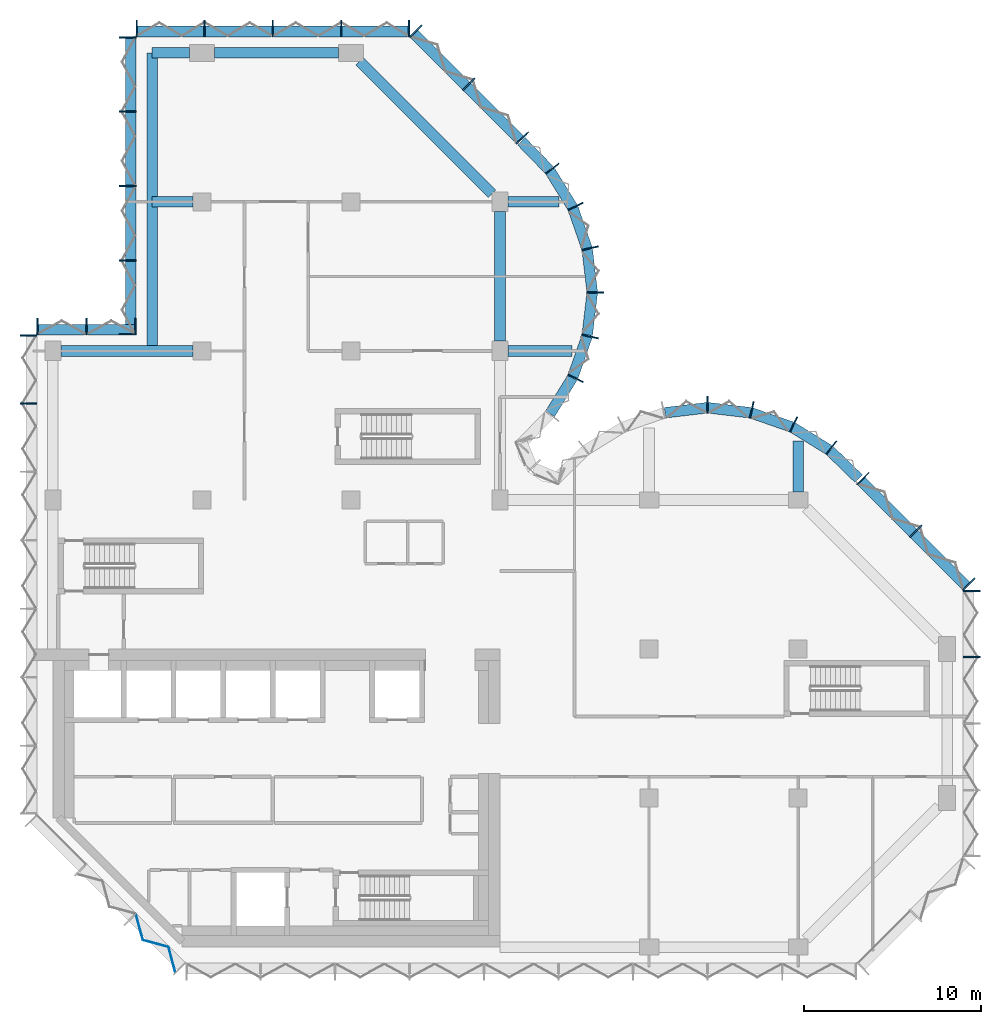
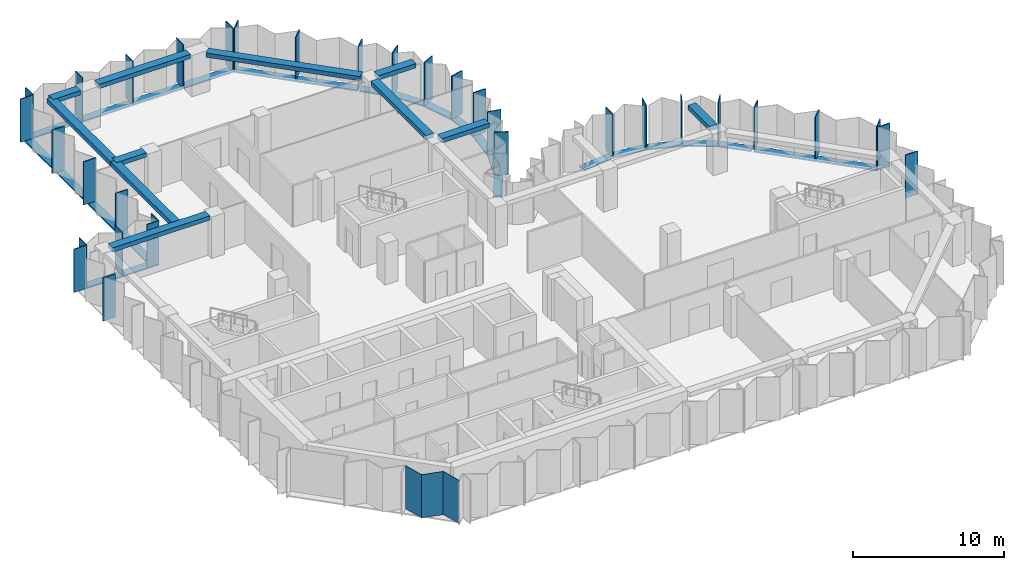
# One storey, part 2 of 9: 50 members, 11 beams, 1 plate, 10 elements without a shape of their own.
"""IFC4 building model written with IfcOpenShell, lengths in metres."""

from ifc_helpers import new_model, si_unit, direction, frame, origin, origin_2d, place, context, subcontext, project, spatial, polyline, rectangle, outline, extrude, material, layer, layer_set, material_profile, profile_set, type_object, element, aggregate, save


model = new_model("IFC4")

# Units and contexts
model_context = context("Model", 3, precision=1e-05, world=origin(), true_north=direction((0.0, 1.0)))
body_context = subcontext(model_context, "Body", "Model", "MODEL_VIEW")
ifc_project = project(units=[si_unit("LENGTHUNIT", "METRE"), si_unit("AREAUNIT", "SQUARE_METRE"), si_unit("VOLUMEUNIT", "CUBIC_METRE"), si_unit("PLANEANGLEUNIT", "RADIAN"), si_unit("MASSUNIT", "GRAM", prefix="KILO")], contexts=[model_context])

# Site, building, storey
site_placement = place(None, origin())
site = spatial("IfcSite", under=ifc_project, at=site_placement, CompositionType="ELEMENT")
building_placement = place(site_placement, origin())
building = spatial("IfcBuilding", under=site, at=building_placement, Name="Brevane Broadcast Tower", CompositionType="ELEMENT")
storey_placement = place(building_placement, frame((0.0, 0.0, 188.39990234375)))
storey = spatial("IfcBuildingStorey", under=building, at=storey_placement, Name="L47", CompositionType="ELEMENT", Elevation=188.39990234375)

# Curtain wall, members
ifc_material_1 = material(Name="Aluminium 6063-T6 bronze anodised", Category="aluminium")
curtain_wall_type = type_object("IfcCurtainWallType", Name="CW-1 curtain wall", PredefinedType="NOTDEFINED", material=ifc_material_1)
curtain_wall_1_placement = place(storey_placement, origin())
curtain_wall_1 = element("IfcCurtainWall", 1, at=curtain_wall_1_placement, inside=storey, type_object=curtain_wall_type, Name="CW-1 typical tilted unit L47 east end", PredefinedType="NOTDEFINED")
ifc_material_profile_1 = material_profile(ifc_material_1, rectangle(XDim=0.949951171875, YDim=0.070068359375, at=origin_2d()), Name="RECT 70x950")
ifc_profile_set_1 = profile_set([ifc_material_profile_1], Name="Aluminium 6063-T6 bronze anodised")
member_type_1 = type_object("IfcMemberType", Name="CW-1 mullion 70x950", PredefinedType="MULLION", material=ifc_profile_set_1)
member_1_placement = place(storey_placement, frame((51.77490234375, 16.35009765625, -0.14990234375), z_axis=(0.0, 0.0, 1.0), x_axis=(-1.0, 0.0, 0.0)))
member_1 = element("IfcMember", 2, at=member_1_placement, type_object=member_type_1, Name="CW-1 mullion", PredefinedType="MULLION", context=body_context, shape_type="SweptSolid", body=[
    extrude(rectangle(XDim=0.949951171875, YDim=0.070068359375, at=origin_2d()), origin(), (0.0, 0.0, 1.0), 3.5),
])
member_2_placement = place(storey_placement, frame((51.77490234375, 20.06494140625, -0.14990234375), z_axis=(0.0, 0.0, 1.0), x_axis=(-1.0, 0.0, 0.0)))
member_2 = element("IfcMember", 3, at=member_2_placement, type_object=member_type_1, Name="CW-1 mullion", PredefinedType="MULLION", context=body_context, shape_type="SweptSolid", body=[
    extrude(rectangle(XDim=0.949951171875, YDim=0.070068359375, at=origin_2d()), origin(), (0.0, 0.0, 1.0), 3.5),
])
aggregate(curtain_wall_1, [member_1, member_2])

curtain_wall_2_placement = place(storey_placement, origin())
curtain_wall_2 = element("IfcCurtainWall", 4, at=curtain_wall_2_placement, inside=storey, type_object=curtain_wall_type, Name="CW-1 typical tilted unit L47 north-east chamfer", PredefinedType="NOTDEFINED")
member_3_placement = place(storey_placement, frame((51.611083984375, 20.460693359375, -0.14990234375), z_axis=(0.0, 0.0, 1.0), x_axis=(-0.707106781187, -0.707106781187, 0.0)))
member_3 = element("IfcMember", 5, at=member_3_placement, type_object=member_type_1, Name="CW-1 mullion", PredefinedType="MULLION", context=body_context, shape_type="SweptSolid", body=[
    extrude(rectangle(XDim=0.949951171875, YDim=0.070068359375, at=origin_2d()), origin(), (0.0, 0.0, 1.0), 3.5),
])
member_4_placement = place(storey_placement, frame((48.635986328125, 23.435791015625, -0.14990234375), z_axis=(0.0, 0.0, 1.0), x_axis=(-0.707106781187, -0.707106781187, 0.0)))
member_4 = element("IfcMember", 6, at=member_4_placement, type_object=member_type_1, Name="CW-1 mullion", PredefinedType="MULLION", context=body_context, shape_type="SweptSolid", body=[
    extrude(rectangle(XDim=0.949951171875, YDim=0.070068359375, at=origin_2d()), origin(), (0.0, 0.0, 1.0), 3.5),
])
member_5_placement = place(storey_placement, frame((45.66064453125, 26.4111328125, -0.14990234375), z_axis=(0.0, 0.0, 1.0), x_axis=(-0.707106781187, -0.707106781187, 0.0)))
member_5 = element("IfcMember", 7, at=member_5_placement, type_object=member_type_1, Name="CW-1 mullion", PredefinedType="MULLION", context=body_context, shape_type="SweptSolid", body=[
    extrude(rectangle(XDim=0.949951171875, YDim=0.070068359375, at=origin_2d()), origin(), (0.0, 0.0, 1.0), 3.5),
])

curtain_wall_3_placement = place(storey_placement, origin())
curtain_wall_3 = element("IfcCurtainWall", 8, at=curtain_wall_3_placement, inside=storey, type_object=curtain_wall_type, Name="CW-1 typical tilted unit L47 east bow", PredefinedType="NOTDEFINED")
member_6_placement = place(storey_placement, frame((43.8720703125, 28.1455078125, -0.14990234375), z_axis=(0.0, 0.0, 1.0), x_axis=(-0.614769698862, -0.788706673841, 0.0)))
member_6 = element("IfcMember", 9, at=member_6_placement, type_object=member_type_1, Name="CW-1 mullion", PredefinedType="MULLION", context=body_context, shape_type="SweptSolid", body=[
    extrude(rectangle(XDim=0.949951171875, YDim=0.070068359375, at=origin_2d()), origin(), (0.0, 0.0, 1.0), 3.5),
])
member_7_placement = place(storey_placement, frame((41.746826171875, 29.4580078125, -0.14990234375), z_axis=(0.0, 0.0, 1.0), x_axis=(-0.429933580394, -0.902860518823, 0.0)))
member_7 = element("IfcMember", 10, at=member_7_placement, type_object=member_type_1, Name="CW-1 mullion", PredefinedType="MULLION", context=body_context, shape_type="SweptSolid", body=[
    extrude(rectangle(XDim=0.949951171875, YDim=0.070068359375, at=origin_2d()), origin(), (0.0, 0.0, 1.0), 3.5),
])
member_8_placement = place(storey_placement, frame((39.38818359375, 30.28076171875, -0.14990234375), z_axis=(0.0, 0.0, 1.0), x_axis=(-0.224806535479, -0.974403418306, 0.0)))
member_8 = element("IfcMember", 11, at=member_8_placement, type_object=member_type_1, Name="CW-1 mullion", PredefinedType="MULLION", context=body_context, shape_type="SweptSolid", body=[
    extrude(rectangle(XDim=0.949951171875, YDim=0.070068359375, at=origin_2d()), origin(), (0.0, 0.0, 1.0), 3.5),
])
member_9_placement = place(storey_placement, frame((36.89990234375, 30.574951171875, -0.14990234375), z_axis=(0.0, 0.0, 1.0), x_axis=(0.0, -1.0, 0.0)))
member_9 = element("IfcMember", 12, at=member_9_placement, type_object=member_type_1, Name="CW-1 mullion", PredefinedType="MULLION", context=body_context, shape_type="SweptSolid", body=[
    extrude(rectangle(XDim=0.949951171875, YDim=0.070068359375, at=origin_2d()), origin(), (0.0, 0.0, 1.0), 3.5),
])

curtain_wall_4_placement = place(storey_placement, origin())
curtain_wall_4 = element("IfcCurtainWall", 13, at=curtain_wall_4_placement, inside=storey, type_object=curtain_wall_type, Name="CW-1 typical tilted unit L47 north bow", PredefinedType="NOTDEFINED")
member_10_placement = place(storey_placement, frame((29.4580078125, 32.05322265625, -0.14990234375), z_axis=(0.0, 0.0, 1.0), x_axis=(-0.902860518823, 0.429933580394, 0.0)))
member_10 = element("IfcMember", 14, at=member_10_placement, type_object=member_type_1, Name="CW-1 mullion", PredefinedType="MULLION", context=body_context, shape_type="SweptSolid", body=[
    extrude(rectangle(XDim=0.949951171875, YDim=0.070068359375, at=origin_2d()), origin(), (0.0, 0.0, 1.0), 3.5),
])
member_11_placement = place(storey_placement, frame((30.28076171875, 34.411865234375, -0.14990234375), z_axis=(0.0, 0.0, 1.0), x_axis=(-0.974403418306, 0.224806535479, 0.0)))
member_11 = element("IfcMember", 15, at=member_11_placement, type_object=member_type_1, Name="CW-1 mullion", PredefinedType="MULLION", context=body_context, shape_type="SweptSolid", body=[
    extrude(rectangle(XDim=0.949951171875, YDim=0.070068359375, at=origin_2d()), origin(), (0.0, 0.0, 1.0), 3.5),
])
member_12_placement = place(storey_placement, frame((30.574951171875, 36.89990234375, -0.14990234375), z_axis=(0.0, 0.0, 1.0), x_axis=(-1.0, 0.0, 0.0)))
member_12 = element("IfcMember", 16, at=member_12_placement, type_object=member_type_1, Name="CW-1 mullion", PredefinedType="MULLION", context=body_context, shape_type="SweptSolid", body=[
    extrude(rectangle(XDim=0.949951171875, YDim=0.070068359375, at=origin_2d()), origin(), (0.0, 0.0, 1.0), 3.5),
])
member_13_placement = place(storey_placement, frame((30.28076171875, 39.38818359375, -0.14990234375), z_axis=(0.0, 0.0, 1.0), x_axis=(-0.974403418306, -0.224806535479, 0.0)))
member_13 = element("IfcMember", 17, at=member_13_placement, type_object=member_type_1, Name="CW-1 mullion", PredefinedType="MULLION", context=body_context, shape_type="SweptSolid", body=[
    extrude(rectangle(XDim=0.949951171875, YDim=0.070068359375, at=origin_2d()), origin(), (0.0, 0.0, 1.0), 3.5),
])
member_14_placement = place(storey_placement, frame((29.4580078125, 41.746826171875, -0.14990234375), z_axis=(0.0, 0.0, 1.0), x_axis=(-0.902860518823, -0.429933580394, 0.0)))
member_14 = element("IfcMember", 18, at=member_14_placement, type_object=member_type_1, Name="CW-1 mullion", PredefinedType="MULLION", context=body_context, shape_type="SweptSolid", body=[
    extrude(rectangle(XDim=0.949951171875, YDim=0.070068359375, at=origin_2d()), origin(), (0.0, 0.0, 1.0), 3.5),
])
member_15_placement = place(storey_placement, frame((28.1455078125, 43.8720703125, -0.14990234375), z_axis=(0.0, 0.0, 1.0), x_axis=(-0.788706673841, -0.614769698862, 0.0)))
member_15 = element("IfcMember", 19, at=member_15_placement, type_object=member_type_1, Name="CW-1 mullion", PredefinedType="MULLION", context=body_context, shape_type="SweptSolid", body=[
    extrude(rectangle(XDim=0.949951171875, YDim=0.070068359375, at=origin_2d()), origin(), (0.0, 0.0, 1.0), 3.5),
])
member_16_placement = place(storey_placement, frame((26.465087890625, 45.60595703125, -0.14990234375), z_axis=(0.0, 0.0, 1.0), x_axis=(-0.717253728729, -0.696812089895, 0.0)))
member_16 = element("IfcMember", 20, at=member_16_placement, type_object=member_type_1, Name="CW-1 mullion", PredefinedType="MULLION", context=body_context, shape_type="SweptSolid", body=[
    extrude(rectangle(XDim=0.949951171875, YDim=0.070068359375, at=origin_2d()), origin(), (0.0, 0.0, 1.0), 3.5),
])

curtain_wall_5_placement = place(storey_placement, origin())
curtain_wall_5 = element("IfcCurtainWall", 21, at=curtain_wall_5_placement, inside=storey, type_object=curtain_wall_type, Name="CW-1 typical tilted unit L47 north arm north-east chamfer", PredefinedType="NOTDEFINED")
member_17_placement = place(storey_placement, frame((23.435791015625, 48.635986328125, -0.14990234375), z_axis=(0.0, 0.0, 1.0), x_axis=(-0.707106781187, -0.707106781187, 0.0)))
member_17 = element("IfcMember", 22, at=member_17_placement, type_object=member_type_1, Name="CW-1 mullion", PredefinedType="MULLION", context=body_context, shape_type="SweptSolid", body=[
    extrude(rectangle(XDim=0.949951171875, YDim=0.070068359375, at=origin_2d()), origin(), (0.0, 0.0, 1.0), 3.5),
])
member_18_placement = place(storey_placement, frame((20.460693359375, 51.611083984375, -0.14990234375), z_axis=(0.0, 0.0, 1.0), x_axis=(-0.707106781187, -0.707106781187, 0.0)))
member_18 = element("IfcMember", 23, at=member_18_placement, type_object=member_type_1, Name="CW-1 mullion", PredefinedType="MULLION", context=body_context, shape_type="SweptSolid", body=[
    extrude(rectangle(XDim=0.949951171875, YDim=0.070068359375, at=origin_2d()), origin(), (0.0, 0.0, 1.0), 3.5),
])

curtain_wall_6_placement = place(storey_placement, origin())
curtain_wall_6 = element("IfcCurtainWall", 24, at=curtain_wall_6_placement, inside=storey, type_object=curtain_wall_type, Name="CW-1 typical tilted unit L47 north end", PredefinedType="NOTDEFINED")
member_19_placement = place(storey_placement, frame((20.06494140625, 51.77490234375, -0.14990234375), z_axis=(0.0, 0.0, 1.0), x_axis=(0.0, -1.0, 0.0)))
member_19 = element("IfcMember", 25, at=member_19_placement, type_object=member_type_1, Name="CW-1 mullion", PredefinedType="MULLION", context=body_context, shape_type="SweptSolid", body=[
    extrude(rectangle(XDim=0.949951171875, YDim=0.070068359375, at=origin_2d()), origin(), (0.0, 0.0, 1.0), 3.5),
])
member_20_placement = place(storey_placement, frame((16.25, 51.77490234375, -0.14990234375), z_axis=(0.0, 0.0, 1.0), x_axis=(0.0, -1.0, 0.0)))
member_20 = element("IfcMember", 26, at=member_20_placement, type_object=member_type_1, Name="CW-1 mullion", PredefinedType="MULLION", context=body_context, shape_type="SweptSolid", body=[
    extrude(rectangle(XDim=0.949951171875, YDim=0.070068359375, at=origin_2d()), origin(), (0.0, 0.0, 1.0), 3.5),
])
member_21_placement = place(storey_placement, frame((12.39990234375, 51.77490234375, -0.14990234375), z_axis=(0.0, 0.0, 1.0), x_axis=(0.0, -1.0, 0.0)))
member_21 = element("IfcMember", 27, at=member_21_placement, type_object=member_type_1, Name="CW-1 mullion", PredefinedType="MULLION", context=body_context, shape_type="SweptSolid", body=[
    extrude(rectangle(XDim=0.949951171875, YDim=0.070068359375, at=origin_2d()), origin(), (0.0, 0.0, 1.0), 3.5),
])
member_22_placement = place(storey_placement, frame((8.550048828125, 51.77490234375, -0.14990234375), z_axis=(0.0, 0.0, 1.0), x_axis=(0.0, -1.0, 0.0)))
member_22 = element("IfcMember", 28, at=member_22_placement, type_object=member_type_1, Name="CW-1 mullion", PredefinedType="MULLION", context=body_context, shape_type="SweptSolid", body=[
    extrude(rectangle(XDim=0.949951171875, YDim=0.070068359375, at=origin_2d()), origin(), (0.0, 0.0, 1.0), 3.5),
])
member_23_placement = place(storey_placement, frame((4.735107421875, 51.77490234375, -0.14990234375), z_axis=(0.0, 0.0, 1.0), x_axis=(0.0, -1.0, 0.0)))
member_23 = element("IfcMember", 29, at=member_23_placement, type_object=member_type_1, Name="CW-1 mullion", PredefinedType="MULLION", context=body_context, shape_type="SweptSolid", body=[
    extrude(rectangle(XDim=0.949951171875, YDim=0.070068359375, at=origin_2d()), origin(), (0.0, 0.0, 1.0), 3.5),
])

curtain_wall_7_placement = place(storey_placement, origin())
curtain_wall_7 = element("IfcCurtainWall", 30, at=curtain_wall_7_placement, inside=storey, type_object=curtain_wall_type, Name="CW-1 typical tilted unit L47 north wing west face, lower block", PredefinedType="NOTDEFINED")
member_24_placement = place(storey_placement, frame((4.22509765625, 51.264892578125, -0.14990234375), z_axis=(0.0, 0.0, 1.0), x_axis=(1.0, 0.0, 0.0)))
member_24 = element("IfcMember", 31, at=member_24_placement, type_object=member_type_1, Name="CW-1 mullion", PredefinedType="MULLION", context=body_context, shape_type="SweptSolid", body=[
    extrude(rectangle(XDim=0.949951171875, YDim=0.070068359375, at=origin_2d()), origin(), (0.0, 0.0, 1.0), 3.5),
])
member_25_placement = place(storey_placement, frame((4.22509765625, 47.10009765625, -0.14990234375), z_axis=(0.0, 0.0, 1.0), x_axis=(1.0, 0.0, 0.0)))
member_25 = element("IfcMember", 32, at=member_25_placement, type_object=member_type_1, Name="CW-1 mullion", PredefinedType="MULLION", context=body_context, shape_type="SweptSolid", body=[
    extrude(rectangle(XDim=0.949951171875, YDim=0.070068359375, at=origin_2d()), origin(), (0.0, 0.0, 1.0), 3.5),
])
member_26_placement = place(storey_placement, frame((4.22509765625, 42.89990234375, -0.14990234375), z_axis=(0.0, 0.0, 1.0), x_axis=(1.0, 0.0, 0.0)))
member_26 = element("IfcMember", 33, at=member_26_placement, type_object=member_type_1, Name="CW-1 mullion", PredefinedType="MULLION", context=body_context, shape_type="SweptSolid", body=[
    extrude(rectangle(XDim=0.949951171875, YDim=0.070068359375, at=origin_2d()), origin(), (0.0, 0.0, 1.0), 3.5),
])
member_27_placement = place(storey_placement, frame((4.22509765625, 38.699951171875, -0.14990234375), z_axis=(0.0, 0.0, 1.0), x_axis=(1.0, 0.0, 0.0)))
member_27 = element("IfcMember", 34, at=member_27_placement, type_object=member_type_1, Name="CW-1 mullion", PredefinedType="MULLION", context=body_context, shape_type="SweptSolid", body=[
    extrude(rectangle(XDim=0.949951171875, YDim=0.070068359375, at=origin_2d()), origin(), (0.0, 0.0, 1.0), 3.5),
])
member_28_placement = place(storey_placement, frame((4.22509765625, 34.534912109375, -0.14990234375), z_axis=(0.0, 0.0, 1.0), x_axis=(1.0, 0.0, 0.0)))
member_28 = element("IfcMember", 35, at=member_28_placement, type_object=member_type_1, Name="CW-1 mullion", PredefinedType="MULLION", context=body_context, shape_type="SweptSolid", body=[
    extrude(rectangle(XDim=0.949951171875, YDim=0.070068359375, at=origin_2d()), origin(), (0.0, 0.0, 1.0), 3.5),
])

curtain_wall_8_placement = place(storey_placement, origin())
curtain_wall_8 = element("IfcCurtainWall", 36, at=curtain_wall_8_placement, inside=storey, type_object=curtain_wall_type, Name="CW-1 typical tilted unit L47 north wing west return, lower block", PredefinedType="NOTDEFINED")
member_29_placement = place(storey_placement, frame((4.6650390625, 34.97509765625, -0.14990234375), z_axis=(0.0, 0.0, 1.0), x_axis=(0.0, -1.0, 0.0)))
member_29 = element("IfcMember", 37, at=member_29_placement, type_object=member_type_1, Name="CW-1 mullion", PredefinedType="MULLION", context=body_context, shape_type="SweptSolid", body=[
    extrude(rectangle(XDim=0.949951171875, YDim=0.070068359375, at=origin_2d()), origin(), (0.0, 0.0, 1.0), 3.5),
])
member_30_placement = place(storey_placement, frame((1.89990234375, 34.97509765625, -0.14990234375), z_axis=(0.0, 0.0, 1.0), x_axis=(0.0, -1.0, 0.0)))
member_30 = element("IfcMember", 38, at=member_30_placement, type_object=member_type_1, Name="CW-1 mullion", PredefinedType="MULLION", context=body_context, shape_type="SweptSolid", body=[
    extrude(rectangle(XDim=0.949951171875, YDim=0.070068359375, at=origin_2d()), origin(), (0.0, 0.0, 1.0), 3.5),
])
member_31_placement = place(storey_placement, frame((-0.864990234375, 34.97509765625, -0.14990234375), z_axis=(0.0, 0.0, 1.0), x_axis=(0.0, -1.0, 0.0)))
member_31 = element("IfcMember", 39, at=member_31_placement, type_object=member_type_1, Name="CW-1 mullion", PredefinedType="MULLION", context=body_context, shape_type="SweptSolid", body=[
    extrude(rectangle(XDim=0.949951171875, YDim=0.070068359375, at=origin_2d()), origin(), (0.0, 0.0, 1.0), 3.5),
])

curtain_wall_9_placement = place(storey_placement, origin())
curtain_wall_9 = element("IfcCurtainWall", 40, at=curtain_wall_9_placement, inside=storey, type_object=curtain_wall_type, Name="CW-1 typical tilted unit L47 west face", PredefinedType="NOTDEFINED")
member_32_placement = place(storey_placement, frame((-1.375, 34.465087890625, -0.14990234375), z_axis=(0.0, 0.0, 1.0), x_axis=(1.0, 0.0, 0.0)))
member_32 = element("IfcMember", 41, at=member_32_placement, type_object=member_type_1, Name="CW-1 mullion", PredefinedType="MULLION", context=body_context, shape_type="SweptSolid", body=[
    extrude(rectangle(XDim=0.949951171875, YDim=0.070068359375, at=origin_2d()), origin(), (0.0, 0.0, 1.0), 3.5),
])
member_33_placement = place(storey_placement, frame((-1.375, 30.642822265625, -0.14990234375), z_axis=(0.0, 0.0, 1.0), x_axis=(1.0, 0.0, 0.0)))
member_33 = element("IfcMember", 42, at=member_33_placement, type_object=member_type_1, Name="CW-1 mullion", PredefinedType="MULLION", context=body_context, shape_type="SweptSolid", body=[
    extrude(rectangle(XDim=0.949951171875, YDim=0.070068359375, at=origin_2d()), origin(), (0.0, 0.0, 1.0), 3.5),
])
aggregate(curtain_wall_9, [member_32, member_33])

# Member
ifc_material_profile_2 = material_profile(ifc_material_1, rectangle(XDim=0.60009765625, YDim=0.10009765625, at=origin_2d()), Name="RECT 100x600")
ifc_profile_set_2 = profile_set([ifc_material_profile_2], Name="Aluminium 6063-T6 bronze anodised")
member_type_2 = type_object("IfcMemberType", Name="CW-1 transom 100x600", PredefinedType="USERDEFINED", material=ifc_profile_set_2)
member_34_placement = place(storey_placement, frame((51.51220703125, 20.31201171875, -0.199951171875), z_axis=(-0.707106781187, 0.707106781187, 0.0), x_axis=(-0.707106781187, -0.707106781187, 0.0)))
member_34 = element("IfcMember", 43, at=member_34_placement, type_object=member_type_2, Name="CW-1 transom", ObjectType="TRANSOM", PredefinedType="USERDEFINED", context=body_context, shape_type="SweptSolid", body=[
    extrude(rectangle(XDim=0.60009765625, YDim=0.10009765625, at=origin_2d()), origin(), (0.0, 0.0, 1.0), 8.4853515625),
])

aggregate(curtain_wall_2, [member_3, member_4, member_5, member_34])

member_35_placement = place(storey_placement, frame((45.412841796875, 26.407958984375, -0.199951171875), z_axis=(-0.71724215871, 0.696823999134, 0.0), x_axis=(-0.696823999134, -0.71724215871, 0.0)))
member_35 = element("IfcMember", 44, at=member_35_placement, type_object=member_type_2, Name="CW-1 transom", ObjectType="TRANSOM", PredefinedType="USERDEFINED", context=body_context, shape_type="SweptSolid", body=[
    extrude(rectangle(XDim=0.60009765625, YDim=0.10009765625, at=origin_2d()), origin(), (0.0, 0.0, 1.0), 2.247802734375),
])

member_36_placement = place(storey_placement, frame((43.7421875, 28.023193359375, -0.199951171875), z_axis=(-0.850810063131, 0.525473345162, 0.0), x_axis=(-0.525473345162, -0.850810063131, 0.0)))
member_36 = element("IfcMember", 45, at=member_36_placement, type_object=member_type_2, Name="CW-1 transom", ObjectType="TRANSOM", PredefinedType="USERDEFINED", context=body_context, shape_type="SweptSolid", body=[
    extrude(rectangle(XDim=0.60009765625, YDim=0.10009765625, at=origin_2d()), origin(), (0.0, 0.0, 1.0), 2.39453125),
])

member_37_placement = place(storey_placement, frame((41.63623046875, 29.314208984375, -0.199951171875), z_axis=(-0.944197969542, 0.329378497041, 0.0), x_axis=(-0.329378497041, -0.944197969542, 0.0)))
member_37 = element("IfcMember", 46, at=member_37_placement, type_object=member_type_2, Name="CW-1 transom", ObjectType="TRANSOM", PredefinedType="USERDEFINED", context=body_context, shape_type="SweptSolid", body=[
    extrude(rectangle(XDim=0.60009765625, YDim=0.10009765625, at=origin_2d()), origin(), (0.0, 0.0, 1.0), 2.394775390625),
])

member_38_placement = place(storey_placement, frame((39.30029296875, 30.117431640625, -0.199951171875), z_axis=(-0.993062061831, 0.117591417, 0.0), x_axis=(-0.117591417, -0.993062061831, 0.0)))
member_38 = element("IfcMember", 47, at=member_38_placement, type_object=member_type_2, Name="CW-1 transom", ObjectType="TRANSOM", PredefinedType="USERDEFINED", context=body_context, shape_type="SweptSolid", body=[
    extrude(rectangle(XDim=0.60009765625, YDim=0.10009765625, at=origin_2d()), origin(), (0.0, 0.0, 1.0), 2.39794921875),
])

member_39_placement = place(storey_placement, frame((36.880859375, 30.3994140625, -0.199951171875), z_axis=(-0.993060653805, -0.117603307202, 0.0), x_axis=(0.117603307202, -0.993060653805, 0.0)))
member_39 = element("IfcMember", 48, at=member_39_placement, type_object=member_type_2, Name="CW-1 transom", ObjectType="TRANSOM", PredefinedType="USERDEFINED", context=body_context, shape_type="SweptSolid", body=[
    extrude(rectangle(XDim=0.60009765625, YDim=0.10009765625, at=origin_2d()), origin(), (0.0, 0.0, 1.0), 2.397705078125),
])

aggregate(curtain_wall_3, [member_6, member_7, member_8, member_9, member_35, member_36, member_37, member_38, member_39])

member_40_placement = place(storey_placement, frame((28.023193359375, 30.0576171875, -0.199951171875), z_axis=(0.525427766759, 0.850838211365, 0.0), x_axis=(-0.850838211365, 0.525427766759, 0.0)))
member_40 = element("IfcMember", 49, at=member_40_placement, type_object=member_type_2, Name="CW-1 transom", ObjectType="TRANSOM", PredefinedType="USERDEFINED", context=body_context, shape_type="SweptSolid", body=[
    extrude(rectangle(XDim=0.60009765625, YDim=0.10009765625, at=origin_2d()), origin(), (0.0, 0.0, 1.0), 2.394775390625),
])

member_41_placement = place(storey_placement, frame((29.314208984375, 32.163818359375, -0.199951171875), z_axis=(0.329378497041, 0.944197969542, 0.0), x_axis=(-0.944197969542, 0.329378497041, 0.0)))
member_41 = element("IfcMember", 50, at=member_41_placement, type_object=member_type_2, Name="CW-1 transom", ObjectType="TRANSOM", PredefinedType="USERDEFINED", context=body_context, shape_type="SweptSolid", body=[
    extrude(rectangle(XDim=0.60009765625, YDim=0.10009765625, at=origin_2d()), origin(), (0.0, 0.0, 1.0), 2.394775390625),
])

member_42_placement = place(storey_placement, frame((30.117431640625, 34.499755859375, -0.199951171875), z_axis=(0.117603307202, 0.993060653805, 0.0), x_axis=(-0.993060653805, 0.117603307202, 0.0)))
member_42 = element("IfcMember", 51, at=member_42_placement, type_object=member_type_2, Name="CW-1 transom", ObjectType="TRANSOM", PredefinedType="USERDEFINED", context=body_context, shape_type="SweptSolid", body=[
    extrude(rectangle(XDim=0.60009765625, YDim=0.10009765625, at=origin_2d()), origin(), (0.0, 0.0, 1.0), 2.397705078125),
])

member_43_placement = place(storey_placement, frame((30.3994140625, 36.9189453125, -0.199951171875), z_axis=(-0.117591417, 0.993062061831, 0.0), x_axis=(-0.993062061831, -0.117591417, 0.0)))
member_43 = element("IfcMember", 52, at=member_43_placement, type_object=member_type_2, Name="CW-1 transom", ObjectType="TRANSOM", PredefinedType="USERDEFINED", context=body_context, shape_type="SweptSolid", body=[
    extrude(rectangle(XDim=0.60009765625, YDim=0.10009765625, at=origin_2d()), origin(), (0.0, 0.0, 1.0), 2.39794921875),
])

member_44_placement = place(storey_placement, frame((30.10302734375, 39.375, -0.199951171875), z_axis=(-0.329378497041, 0.944197969542, 0.0), x_axis=(-0.944197969542, -0.329378497041, 0.0)))
member_44 = element("IfcMember", 53, at=member_44_placement, type_object=member_type_2, Name="CW-1 transom", ObjectType="TRANSOM", PredefinedType="USERDEFINED", context=body_context, shape_type="SweptSolid", body=[
    extrude(rectangle(XDim=0.60009765625, YDim=0.10009765625, at=origin_2d()), origin(), (0.0, 0.0, 1.0), 2.394775390625),
])

member_45_placement = place(storey_placement, frame((29.281494140625, 41.704833984375, -0.199951171875), z_axis=(-0.525473345162, 0.850810063131, 0.0), x_axis=(-0.850810063131, -0.525473345162, 0.0)))
member_45 = element("IfcMember", 54, at=member_45_placement, type_object=member_type_2, Name="CW-1 transom", ObjectType="TRANSOM", PredefinedType="USERDEFINED", context=body_context, shape_type="SweptSolid", body=[
    extrude(rectangle(XDim=0.60009765625, YDim=0.10009765625, at=origin_2d()), origin(), (0.0, 0.0, 1.0), 2.39453125),
])

member_46_placement = place(storey_placement, frame((27.974365234375, 43.800537109375, -0.199951171875), z_axis=(-0.696823999134, 0.71724215871, 0.0), x_axis=(-0.71724215871, -0.696823999134, 0.0)))
member_46 = element("IfcMember", 55, at=member_46_placement, type_object=member_type_2, Name="CW-1 transom", ObjectType="TRANSOM", PredefinedType="USERDEFINED", context=body_context, shape_type="SweptSolid", body=[
    extrude(rectangle(XDim=0.60009765625, YDim=0.10009765625, at=origin_2d()), origin(), (0.0, 0.0, 1.0), 2.247802734375),
])

aggregate(curtain_wall_4, [member_10, member_11, member_12, member_13, member_14, member_15, member_16, member_40, member_41, member_42, member_43, member_44, member_45, member_46])

member_47_placement = place(storey_placement, frame((26.31201171875, 45.51220703125, -0.199951171875), z_axis=(-0.707106781187, 0.707106781187, 0.0), x_axis=(-0.707106781187, -0.707106781187, 0.0)))
member_47 = element("IfcMember", 56, at=member_47_placement, type_object=member_type_2, Name="CW-1 transom", ObjectType="TRANSOM", PredefinedType="USERDEFINED", context=body_context, shape_type="SweptSolid", body=[
    extrude(rectangle(XDim=0.60009765625, YDim=0.10009765625, at=origin_2d()), origin(), (0.0, 0.0, 1.0), 8.4853515625),
])

aggregate(curtain_wall_5, [member_17, member_18, member_47])

member_48_placement = place(storey_placement, frame((20.10009765625, 51.60009765625, -0.199951171875), z_axis=(-1.0, 0.0, 0.0), x_axis=(0.0, -1.0, 0.0)))
member_48 = element("IfcMember", 57, at=member_48_placement, type_object=member_type_2, Name="CW-1 transom", ObjectType="TRANSOM", PredefinedType="USERDEFINED", context=body_context, shape_type="SweptSolid", body=[
    extrude(rectangle(XDim=0.60009765625, YDim=0.10009765625, at=origin_2d()), origin(), (0.0, 0.0, 1.0), 15.400146484375),
])

aggregate(curtain_wall_6, [member_19, member_20, member_21, member_22, member_23, member_48])

member_49_placement = place(storey_placement, frame((4.39990234375, 51.300048828125, -0.199951171875), z_axis=(0.0, -1.0, 0.0), x_axis=(1.0, 0.0, 0.0)))
member_49 = element("IfcMember", 58, at=member_49_placement, type_object=member_type_2, Name="CW-1 transom", ObjectType="TRANSOM", PredefinedType="USERDEFINED", context=body_context, shape_type="SweptSolid", body=[
    extrude(rectangle(XDim=0.60009765625, YDim=0.10009765625, at=origin_2d()), origin(), (0.0, 0.0, 1.0), 16.800048828125),
])

aggregate(curtain_wall_7, [member_24, member_25, member_26, member_27, member_28, member_49])

member_50_placement = place(storey_placement, frame((4.699951171875, 34.800048828125, -0.199951171875), z_axis=(-1.0, 0.0, 0.0), x_axis=(0.0, -1.0, 0.0)))
member_50 = element("IfcMember", 59, at=member_50_placement, type_object=member_type_2, Name="CW-1 transom", ObjectType="TRANSOM", PredefinedType="USERDEFINED", context=body_context, shape_type="SweptSolid", body=[
    extrude(rectangle(XDim=0.60009765625, YDim=0.10009765625, at=origin_2d()), origin(), (0.0, 0.0, 1.0), 5.599853515625),
])

aggregate(curtain_wall_8, [member_29, member_30, member_31, member_50])

# Beams
ifc_material_2 = material(Name="Concrete C40/50", Category="concrete")
ifc_material_profile_3 = material_profile(ifc_material_2, rectangle(XDim=0.60009765625, YDim=0.35009765625, at=origin_2d()), Name="RC 600x350")
ifc_profile_set_3 = profile_set([ifc_material_profile_3], Name="Concrete C40/50")
beam_type_1 = type_object("IfcBeamType", Name="RC BRACKET BEAM 600x350 C40/50", PredefinedType="BEAM", material=ifc_profile_set_3)
beam_1_placement = place(storey_placement, frame((25.64990234375, 33.60009765625, 3.175048828125), z_axis=(1.0, 0.0, 0.0), x_axis=(0.0, 1.0, 0.0)))
element("IfcBeam", 60, at=beam_1_placement, inside=storey, type_object=beam_type_1, Name="EB2 L47-1", PredefinedType="BEAM", context=body_context, shape_type="SweptSolid", body=[
    extrude(rectangle(XDim=0.60009765625, YDim=0.35009765625, at=origin_2d()), origin(), (0.0, 0.0, 1.0), 3.612060546875),
])
for number, where, z_axis, x_axis, name in (
    (61, (25.64990234375, 42.0, 3.175048828125), (1.0, 0.0, 0.0), (0.0, 1.0, 0.0), "EB2 L47-2"),
    (62, (42.0, 25.64990234375, 3.175048828125), (0.0, 1.0, 0.0), (-1.0, 0.0, 0.0), "EB2 L47-4"),
):
    element("IfcBeam", number, at=place(storey_placement, frame(where, z_axis=z_axis, x_axis=x_axis)), inside=storey, type_object=beam_type_1, Name=name, PredefinedType="BEAM", context=body_context, shape_type="SweptSolid", body=[
        extrude(rectangle(XDim=0.60009765625, YDim=0.35009765625, at=origin_2d()), origin(), (0.0, 0.0, 1.0), 2.861572265625),
    ])
beam_2_placement = place(storey_placement, frame((7.89990234375, 42.0, 3.175048828125), z_axis=(-1.0, 0.0, 0.0), x_axis=(0.0, -1.0, 0.0)))
element("IfcBeam", 63, at=beam_2_placement, inside=storey, type_object=beam_type_1, Name="EB2 L47-5", PredefinedType="BEAM", context=body_context, shape_type="SweptSolid", body=[
    extrude(rectangle(XDim=0.60009765625, YDim=0.35009765625, at=origin_2d()), origin(), (0.0, 0.0, 1.0), 2.2998046875),
])
ifc_material_profile_4 = material_profile(ifc_material_2, rectangle(XDim=0.60009765625, YDim=0.35009765625, at=origin_2d()), Name="RC 600x350")
ifc_profile_set_4 = profile_set([ifc_material_profile_4], Name="Concrete C40/50")
beam_type_2 = type_object("IfcBeamType", Name="RC SPANDREL BEAM 600x350 C40/50", PredefinedType="SPANDREL", material=ifc_profile_set_4)
beam_3_placement = place(storey_placement, frame((25.199951171875, 34.14990234375, 3.175048828125), z_axis=(0.0, 1.0, 0.0), x_axis=(-1.0, 0.0, 0.0)))
element("IfcBeam", 64, at=beam_3_placement, inside=storey, type_object=beam_type_2, Name="EB1 L47-9", PredefinedType="SPANDREL", context=body_context, shape_type="SweptSolid", body=[
    extrude(rectangle(XDim=0.60009765625, YDim=0.35009765625, at=origin_2d()), origin(), (0.0, 0.0, 1.0), 7.300048828125),
])
beam_4_placement = place(storey_placement, frame((24.75, 42.449951171875, 3.175048828125), z_axis=(-0.707106781187, 0.707106781187, 0.0), x_axis=(-0.707106781187, -0.707106781187, 0.0)))
element("IfcBeam", 65, at=beam_4_placement, inside=storey, type_object=beam_type_2, Name="EB1 L47-10", PredefinedType="SPANDREL", context=body_context, shape_type="SweptSolid", body=[
    extrude(rectangle(XDim=0.60009765625, YDim=0.35009765625, at=origin_2d()), origin(), (0.0, 0.0, 1.0), 10.5712890625),
])
beam_5_placement = place(storey_placement, frame((16.10009765625, 50.39990234375, 3.175048828125), z_axis=(-1.0, 0.0, 0.0), x_axis=(0.0, -1.0, 0.0)))
element("IfcBeam", 66, at=beam_5_placement, inside=storey, type_object=beam_type_2, Name="EB1 L47-11", PredefinedType="SPANDREL", context=body_context, shape_type="SweptSolid", body=[
    extrude(rectangle(XDim=0.60009765625, YDim=0.35009765625, at=origin_2d()), origin(), (0.0, 0.0, 1.0), 7.0),
])
beam_6_placement = place(storey_placement, frame((0.449951171875, 33.60009765625, 3.175048828125), z_axis=(1.0, 0.0, 0.0), x_axis=(0.0, 1.0, 0.0)))
element("IfcBeam", 67, at=beam_6_placement, inside=storey, type_object=beam_type_2, Name="EB1 L47-14", PredefinedType="SPANDREL", context=body_context, shape_type="SweptSolid", body=[
    extrude(rectangle(XDim=0.60009765625, YDim=0.35009765625, at=origin_2d()), origin(), (0.0, 0.0, 1.0), 7.449951171875),
])
for number, where, z_axis, x_axis, name in (
    (68, (5.60009765625, 33.60009765625, 3.175048828125), (0.0, 1.0, 0.0), (-1.0, 0.0, 0.0), "EB1 L47-15"),
    (69, (5.60009765625, 42.0, 3.175048828125), (0.0, 1.0, 0.0), (-1.0, 0.0, 0.0), "EB1 L47-16"),
):
    element("IfcBeam", number, at=place(storey_placement, frame(where, z_axis=z_axis, x_axis=x_axis)), inside=storey, type_object=beam_type_2, Name=name, PredefinedType="SPANDREL", context=body_context, shape_type="SweptSolid", body=[
        extrude(rectangle(XDim=0.60009765625, YDim=0.35009765625, at=origin_2d()), origin(), (0.0, 0.0, 1.0), 8.39990234375),
    ])
beam_7_placement = place(storey_placement, frame((5.60009765625, 50.39990234375, 3.175048828125), z_axis=(1.0, 0.0, 0.0), x_axis=(0.0, 1.0, 0.0)))
element("IfcBeam", 70, at=beam_7_placement, inside=storey, type_object=beam_type_2, Name="EB1 L47-17", PredefinedType="SPANDREL", context=body_context, shape_type="SweptSolid", body=[
    extrude(rectangle(XDim=0.60009765625, YDim=0.35009765625, at=origin_2d()), origin(), (0.0, 0.0, 1.0), 2.099853515625),
])

# Curtain wall, plate
curtain_wall_10_placement = place(storey_placement, origin())
curtain_wall_10 = element("IfcCurtainWall", 71, at=curtain_wall_10_placement, inside=storey, type_object=curtain_wall_type, Name="CW-1 typical tilted unit L47 south-west chamfer", PredefinedType="NOTDEFINED")
ifc_material_3 = material(Name="Laminated glass bronze-tinted", Category="glass")
ifc_layer = layer(ifc_material_3, 0.0400390625)
ifc_layer_set = layer_set([ifc_layer], Name="CW tall glass panel 40")
plate_type = type_object("IfcPlateType", Name="CW tall glass panel 40", PredefinedType="CURTAIN_PANEL", material=ifc_layer_set)
plate_placement = place(storey_placement, frame((0.0, 0.0, -0.14990234375)))
plate = element("IfcPlate", 72, at=plate_placement, type_object=plate_type, Name="CW-1 glass panel", PredefinedType="CURTAIN_PANEL", context=body_context, shape_type="SweptSolid", body=[
    extrude(outline(polyline([(4.705810546875, 1.856201171875), (4.673095703125, 1.823486328125), (5.063720703125, 0.38037109375), (6.5068359375, -0.010009765625), (6.897216796875, -1.453369140625), (6.9296875, -1.420654296875), (6.539306640625, 0.0224609375), (5.09619140625, 0.4130859375), (4.705810546875, 1.856201171875)])), origin(), (0.0, 0.0, 1.0), 3.5),
])
aggregate(curtain_wall_10, [plate])

save(model, "model.ifc")
